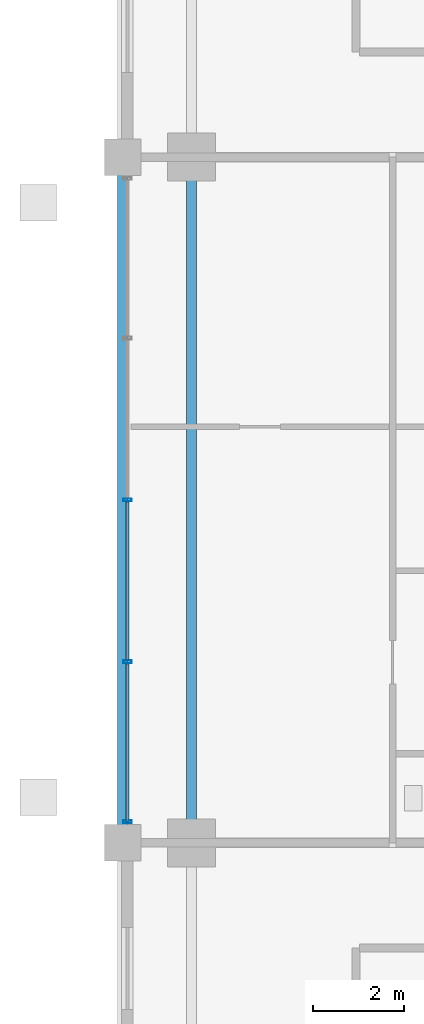
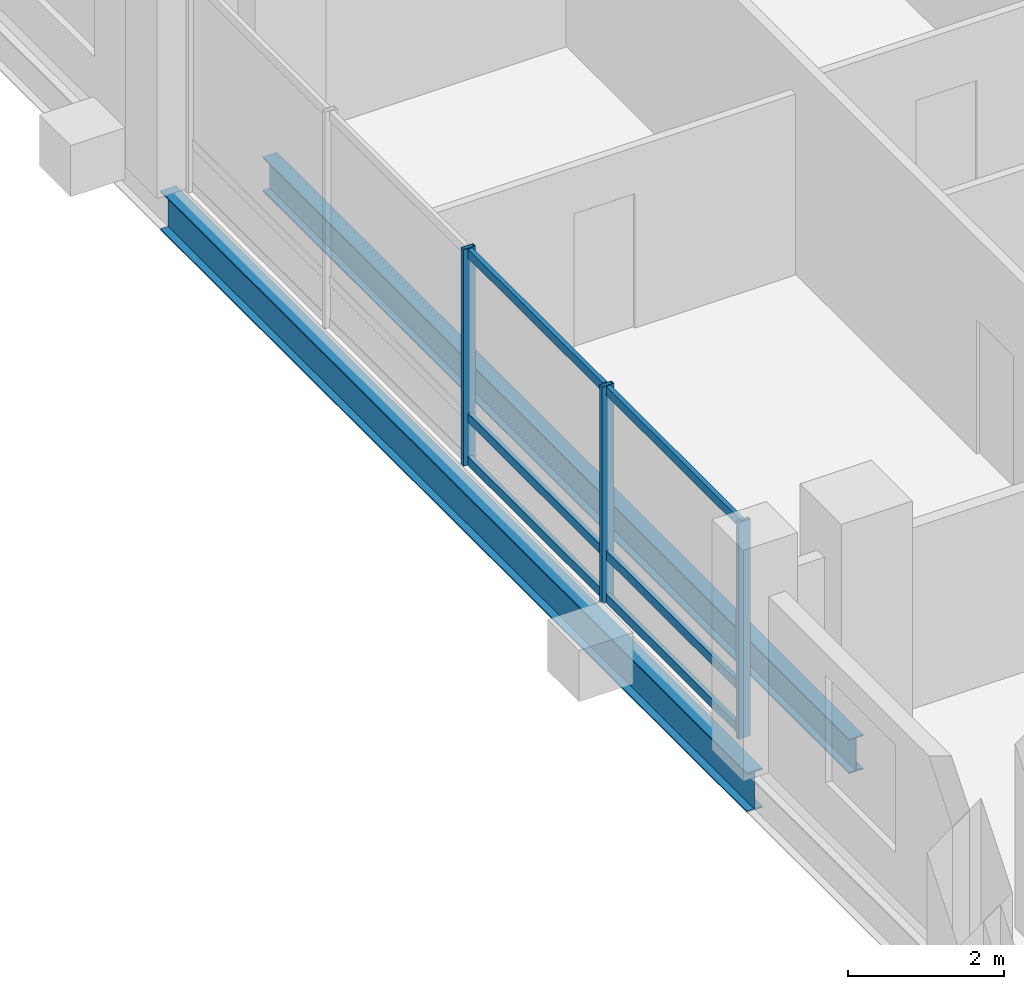
# One storey, part 6 of 24: 9 members, 2 beams, 1 element without a shape of its own.
"""IFC4 building model written with IfcOpenShell, lengths in metres."""

from ifc_helpers import new_model, si_unit, direction, frame, origin, origin_2d, place, context, subcontext, project, spatial, hollow_rectangle, i_section, extrude, material, layer, layer_set, material_profile, profile_set, type_object, element, aggregate, save


model = new_model("IFC4")

# Units and contexts
model_context = context("Model", 3, precision=1e-05, world=origin(), true_north=direction((0.0, 1.0)))
body_context = subcontext(model_context, "Body", "Model", "MODEL_VIEW")
ifc_project = project(units=[si_unit("LENGTHUNIT", "METRE"), si_unit("AREAUNIT", "SQUARE_METRE"), si_unit("VOLUMEUNIT", "CUBIC_METRE"), si_unit("PLANEANGLEUNIT", "RADIAN"), si_unit("MASSUNIT", "GRAM", prefix="KILO")], contexts=[model_context])

# Site, building, storey
site_placement = place(None, origin())
site = spatial("IfcSite", under=ifc_project, at=site_placement, CompositionType="ELEMENT")
building_placement = place(site_placement, origin())
building = spatial("IfcBuilding", under=site, at=building_placement, Name="Barlavira Tower and Art Museum", CompositionType="ELEMENT")
storey_placement = place(building_placement, frame((0.0, 0.0, 169.199951171875)))
storey = spatial("IfcBuildingStorey", under=building, at=storey_placement, Name="L43", CompositionType="ELEMENT", Elevation=169.199951171875)

# Curtain wall, members
ifc_material_1 = material(Name="Low-iron coastal laminated glass", Category="glass")
ifc_layer = layer(ifc_material_1, 0.199951171875, Name="Low-iron coastal laminated glass")
ifc_layer_set = layer_set([ifc_layer], Name="Low-iron coastal laminated glass")
curtain_wall_type = type_object("IfcCurtainWallType", Name="Pale-Metal Unitised Curtain Wall Zone 3", PredefinedType="NOTDEFINED", material=ifc_layer_set)
curtain_wall_placement = place(storey_placement, origin())
curtain_wall = element("IfcCurtainWall", 1, at=curtain_wall_placement, inside=storey, type_object=curtain_wall_type, Name="L43 Curtain Wall CW3-L43-W-B3", PredefinedType="NOTDEFINED")
ifc_material_2 = material(Name="Pale anodised aluminium", Category="aluminium")
ifc_material_profile_1 = material_profile(ifc_material_2, hollow_rectangle(XDim=0.06494140625, YDim=0.179931640625, WallThickness=0.00390625, at=origin_2d()), Name="ALU-MULL 65x180x4")
ifc_profile_set_1 = profile_set([ifc_material_profile_1], Name="Pale anodised aluminium")
member_type_1 = type_object("IfcMemberType", Name="Curtain Wall Pale-Metal Mullion 65x180", PredefinedType="MULLION", material=ifc_profile_set_1)
member_1_placement = place(storey_placement, frame((-18.39990234375, 0.0, 0.0), z_axis=(0.0, 0.0, 1.0), x_axis=(0.0, -1.0, 0.0)))
member_1 = element("IfcMember", 2, at=member_1_placement, type_object=member_type_1, Name="CW3-L43-W-B3 Mullion 2", PredefinedType="MULLION", context=body_context, shape_type="SweptSolid", body=[
    extrude(hollow_rectangle(XDim=0.06494140625, YDim=0.179931640625, WallThickness=0.00390625, at=origin_2d()), origin(), (0.0, 0.0, 1.0), 3.380126953125),
])
member_2_placement = place(storey_placement, frame((-18.39990234375, -3.5400390625, 0.0), z_axis=(0.0, 0.0, 1.0), x_axis=(0.0, -1.0, 0.0)))
member_2 = element("IfcMember", 3, at=member_2_placement, type_object=member_type_1, Name="CW3-L43-W-B3 Mullion 3", PredefinedType="MULLION", context=body_context, shape_type="SweptSolid", body=[
    extrude(hollow_rectangle(XDim=0.06494140625, YDim=0.179931640625, WallThickness=0.00390625, at=origin_2d()), origin(), (0.0, 0.0, 1.0), 3.380126953125),
])
member_3_placement = place(storey_placement, frame((-18.39990234375, -7.034912109375, 0.0), z_axis=(0.0, 0.0, 1.0), x_axis=(0.0, -1.0, 0.0)))
member_3 = element("IfcMember", 4, at=member_3_placement, type_object=member_type_1, Name="CW3-L43-W-B3 Mullion 4", PredefinedType="MULLION", context=body_context, shape_type="SweptSolid", body=[
    extrude(hollow_rectangle(XDim=0.06494140625, YDim=0.179931640625, WallThickness=0.00390625, at=origin_2d()), origin(), (0.0, 0.0, 1.0), 3.380126953125),
])
ifc_material_profile_2 = material_profile(ifc_material_2, hollow_rectangle(XDim=0.06494140625, YDim=0.139892578125, WallThickness=0.00390625, at=origin_2d()), Name="ALU-TRAN 65x140x4")
ifc_profile_set_2 = profile_set([ifc_material_profile_2], Name="Pale anodised aluminium")
member_type_2 = type_object("IfcMemberType", Name="Curtain Wall Pale-Metal Transom 65x140", PredefinedType="USERDEFINED", material=ifc_profile_set_2)
member_4_placement = place(storey_placement, frame((-18.39990234375, -0.044921875, 0.070068359375), z_axis=(0.0, -1.0, 0.0), x_axis=(1.0, 0.0, 0.0)))
member_4 = element("IfcMember", 5, at=member_4_placement, type_object=member_type_2, Name="CW3-L43-W-B3 Transom 2.1", ObjectType="TRANSOM", PredefinedType="USERDEFINED", context=body_context, shape_type="SweptSolid", body=[
    extrude(hollow_rectangle(XDim=0.06494140625, YDim=0.139892578125, WallThickness=0.00390625, at=origin_2d()), origin(), (0.0, 0.0, 1.0), 3.4501953125),
])
member_5_placement = place(storey_placement, frame((-18.39990234375, -0.044921875, 0.744140625), z_axis=(0.0, -1.0, 0.0), x_axis=(1.0, 0.0, 0.0)))
member_5 = element("IfcMember", 6, at=member_5_placement, type_object=member_type_2, Name="CW3-L43-W-B3 Transom 2.2", ObjectType="TRANSOM", PredefinedType="USERDEFINED", context=body_context, shape_type="SweptSolid", body=[
    extrude(hollow_rectangle(XDim=0.06494140625, YDim=0.139892578125, WallThickness=0.00390625, at=origin_2d()), origin(), (0.0, 0.0, 1.0), 3.4501953125),
])
member_6_placement = place(storey_placement, frame((-18.39990234375, -0.044921875, 3.31005859375), z_axis=(0.0, -1.0, 0.0), x_axis=(1.0, 0.0, 0.0)))
member_6 = element("IfcMember", 7, at=member_6_placement, type_object=member_type_2, Name="CW3-L43-W-B3 Transom 2.3", ObjectType="TRANSOM", PredefinedType="USERDEFINED", context=body_context, shape_type="SweptSolid", body=[
    extrude(hollow_rectangle(XDim=0.06494140625, YDim=0.139892578125, WallThickness=0.00390625, at=origin_2d()), origin(), (0.0, 0.0, 1.0), 3.4501953125),
])
member_7_placement = place(storey_placement, frame((-18.39990234375, -3.5849609375, 0.070068359375), z_axis=(0.0, -1.0, 0.0), x_axis=(1.0, 0.0, 0.0)))
member_7 = element("IfcMember", 8, at=member_7_placement, type_object=member_type_2, Name="CW3-L43-W-B3 Transom 3.1", ObjectType="TRANSOM", PredefinedType="USERDEFINED", context=body_context, shape_type="SweptSolid", body=[
    extrude(hollow_rectangle(XDim=0.06494140625, YDim=0.139892578125, WallThickness=0.00390625, at=origin_2d()), origin(), (0.0, 0.0, 1.0), 3.449951171875),
])
member_8_placement = place(storey_placement, frame((-18.39990234375, -3.5849609375, 0.744140625), z_axis=(0.0, -1.0, 0.0), x_axis=(1.0, 0.0, 0.0)))
member_8 = element("IfcMember", 9, at=member_8_placement, type_object=member_type_2, Name="CW3-L43-W-B3 Transom 3.2", ObjectType="TRANSOM", PredefinedType="USERDEFINED", context=body_context, shape_type="SweptSolid", body=[
    extrude(hollow_rectangle(XDim=0.06494140625, YDim=0.139892578125, WallThickness=0.00390625, at=origin_2d()), origin(), (0.0, 0.0, 1.0), 3.449951171875),
])
member_9_placement = place(storey_placement, frame((-18.39990234375, -3.5849609375, 3.31005859375), z_axis=(0.0, -1.0, 0.0), x_axis=(1.0, 0.0, 0.0)))
member_9 = element("IfcMember", 10, at=member_9_placement, type_object=member_type_2, Name="CW3-L43-W-B3 Transom 3.3", ObjectType="TRANSOM", PredefinedType="USERDEFINED", context=body_context, shape_type="SweptSolid", body=[
    extrude(hollow_rectangle(XDim=0.06494140625, YDim=0.139892578125, WallThickness=0.00390625, at=origin_2d()), origin(), (0.0, 0.0, 1.0), 3.449951171875),
])
aggregate(curtain_wall, [member_1, member_2, member_3, member_4, member_5, member_6, member_7, member_8, member_9])

# Beams
ifc_material_3 = material(Name="Steel S355", Category="steel")
ifc_material_profile_3 = material_profile(ifc_material_3, i_section(OverallWidth=0.22998046875, OverallDepth=0.616943359375, WebThickness=0.01318359375, FlangeThickness=0.022216796875, at=origin_2d()), Name="W610x140.0")
ifc_profile_set_3 = profile_set([ifc_material_profile_3], Name="Steel S355")
beam_type_1 = type_object("IfcBeamType", Name="Upper Shaft Spandrel Edge Beam W610x140 Steel S355", PredefinedType="SPANDREL", material=ifc_profile_set_3)
beam_1_placement = place(storey_placement, frame((-18.5, -7.5, -0.528564453125), z_axis=(0.0, 1.0, 0.0), x_axis=(-1.0, 0.0, 0.0)))
element("IfcBeam", 11, at=beam_1_placement, inside=storey, type_object=beam_type_1, Name="L43 Spandrel 14", PredefinedType="SPANDREL", context=body_context, shape_type="SweptSolid", body=[
    extrude(i_section(OverallWidth=0.22998046875, OverallDepth=0.616943359375, WebThickness=0.01318359375, FlangeThickness=0.022216796875, at=origin_2d()), origin(), (0.0, 0.0, 1.0), 15.0),
])
ifc_material_profile_4 = material_profile(ifc_material_3, i_section(OverallWidth=0.2109375, OverallDepth=0.5390625, WebThickness=0.01171875, FlangeThickness=0.018798828125, at=origin_2d()), Name="W530x109.0")
ifc_profile_set_4 = profile_set([ifc_material_profile_4], Name="Steel S355")
beam_type_2 = type_object("IfcBeamType", Name="Zone 3-4 Primary Floor Girder W530x109 Steel S355", PredefinedType="BEAM", material=ifc_profile_set_4)
beam_2_placement = place(storey_placement, frame((-17.0, -7.5, -0.489501953125), z_axis=(0.0, 1.0, 0.0), x_axis=(-1.0, 0.0, 0.0)))
element("IfcBeam", 12, at=beam_2_placement, inside=storey, type_object=beam_type_2, Name="L43 Girder M-W2", PredefinedType="BEAM", context=body_context, shape_type="SweptSolid", body=[
    extrude(i_section(OverallWidth=0.2109375, OverallDepth=0.5390625, WebThickness=0.01171875, FlangeThickness=0.018798828125, at=origin_2d()), origin(), (0.0, 0.0, 1.0), 15.0),
])

save(model, "model.ifc")
